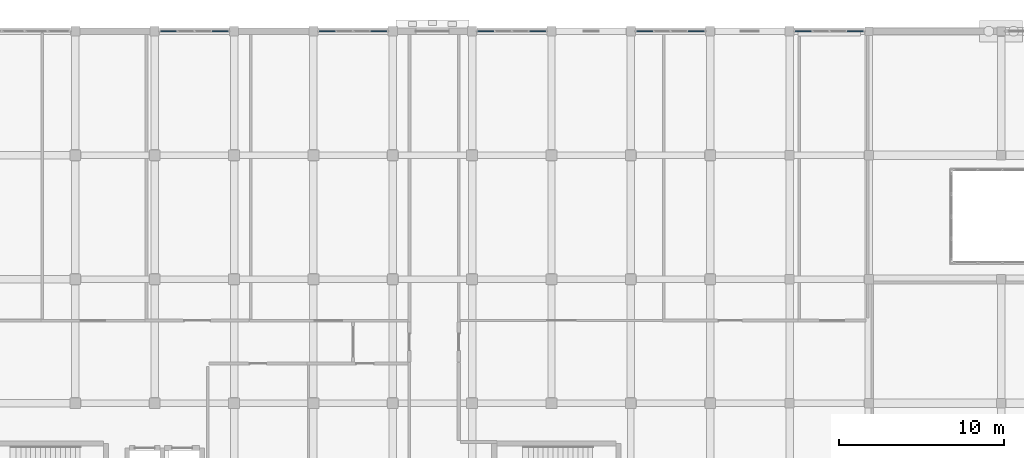
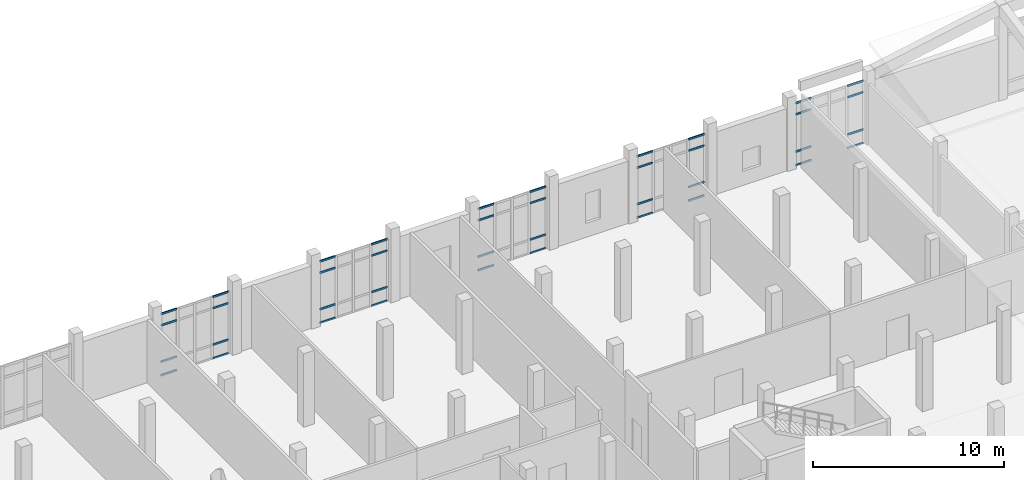
# One storey, part 123 of 173: 40 members, 5 elements without a shape of their own.
"""IFC4 building model written with IfcOpenShell, lengths in metres."""

from ifc_helpers import new_model, si_unit, direction, frame, origin, origin_2d, place, context, subcontext, project, spatial, hollow_rectangle, extrude, material, layer, layer_set, material_profile, profile_set, type_object, element, aggregate, save


model = new_model("IFC4")

# Units and contexts
model_context = context("Model", 3, precision=1e-05, world=origin(), true_north=direction((0.0, 1.0)))
body_context = subcontext(model_context, "Body", "Model", "MODEL_VIEW")
ifc_project = project(units=[si_unit("LENGTHUNIT", "METRE"), si_unit("AREAUNIT", "SQUARE_METRE"), si_unit("VOLUMEUNIT", "CUBIC_METRE"), si_unit("PLANEANGLEUNIT", "RADIAN"), si_unit("MASSUNIT", "GRAM", prefix="KILO")], contexts=[model_context])

# Site, building, storey
site_placement = place(None, origin())
site = spatial("IfcSite", under=ifc_project, at=site_placement, CompositionType="ELEMENT")
building_placement = place(site_placement, origin())
building = spatial("IfcBuilding", under=site, at=building_placement, Name="Mawjan Specialist Oncology Clinic", CompositionType="ELEMENT")
storey_placement = place(building_placement, origin())
storey = spatial("IfcBuildingStorey", under=building, at=storey_placement, Name="L00", CompositionType="ELEMENT", Elevation=0.0)

# Curtain wall, members
ifc_material_1 = material(Name="Unitised spectrally selective aluminium curtain wall", Category="aluminium")
ifc_layer_1 = layer(ifc_material_1, 0.179931640625, Name="Unitised spectrally selective aluminium curtain wall", Category="aluminium")
ifc_layer_set_1 = layer_set([ifc_layer_1], Name="Unitised spectrally selective aluminium curtain wall")
curtain_wall_type_1 = type_object("IfcCurtainWallType", Name="CW-13", PredefinedType="NOTDEFINED", material=ifc_layer_set_1)
curtain_wall_1_placement = place(storey_placement, origin())
curtain_wall_1 = element("IfcCurtainWall", 1, at=curtain_wall_1_placement, inside=storey, type_object=curtain_wall_type_1, Name="L00 Unitised Curtain Wall CW-L00-022", PredefinedType="NOTDEFINED")
ifc_material_2 = material(Name="Thermally broken aluminium 6063-T6", Category="aluminium")
ifc_material_profile = material_profile(ifc_material_2, hollow_rectangle(XDim=0.06005859375, YDim=0.1201171875, WallThickness=0.00390625, at=origin_2d()), Name="ALU TRANSOM 120x60x4", Category="aluminium")
ifc_profile_set = profile_set([ifc_material_profile], Name="Thermally broken aluminium 6063-T6")
member_type = type_object("IfcMemberType", Name="CW-T120", PredefinedType="USERDEFINED", material=ifc_profile_set)
member_1_placement = place(storey_placement, frame((65.155029296875, 113.300048828125, 0.030029296875), z_axis=(1.0, 0.0, 0.0), x_axis=(0.0, 1.0, 0.0)))
member_1 = element("IfcMember", 2, at=member_1_placement, type_object=member_type, Name="CW-13 transom 1.1", ObjectType="TRANSOM", PredefinedType="USERDEFINED", context=body_context, shape_type="SweptSolid", body=[
    extrude(hollow_rectangle(XDim=0.06005859375, YDim=0.1201171875, WallThickness=0.00390625, at=origin_2d()), origin(), (0.0, 0.0, 1.0), 0.96240234375),
])
member_2_placement = place(storey_placement, frame((65.155029296875, 113.300048828125, 0.89990234375), z_axis=(1.0, 0.0, 0.0), x_axis=(0.0, 1.0, 0.0)))
member_2 = element("IfcMember", 3, at=member_2_placement, type_object=member_type, Name="CW-13 transom 1.2", ObjectType="TRANSOM", PredefinedType="USERDEFINED", context=body_context, shape_type="SweptSolid", body=[
    extrude(hollow_rectangle(XDim=0.06005859375, YDim=0.1201171875, WallThickness=0.00390625, at=origin_2d()), origin(), (0.0, 0.0, 1.0), 0.96240234375),
])
member_3_placement = place(storey_placement, frame((65.155029296875, 113.300048828125, 3.235107421875), z_axis=(1.0, 0.0, 0.0), x_axis=(0.0, 1.0, 0.0)))
member_3 = element("IfcMember", 4, at=member_3_placement, type_object=member_type, Name="CW-13 transom 1.3", ObjectType="TRANSOM", PredefinedType="USERDEFINED", context=body_context, shape_type="SweptSolid", body=[
    extrude(hollow_rectangle(XDim=0.06005859375, YDim=0.1201171875, WallThickness=0.00390625, at=origin_2d()), origin(), (0.0, 0.0, 1.0), 0.96240234375),
])
member_4_placement = place(storey_placement, frame((65.155029296875, 113.300048828125, 3.955078125), z_axis=(1.0, 0.0, 0.0), x_axis=(0.0, 1.0, 0.0)))
member_4 = element("IfcMember", 5, at=member_4_placement, type_object=member_type, Name="CW-13 transom 1.4", ObjectType="TRANSOM", PredefinedType="USERDEFINED", context=body_context, shape_type="SweptSolid", body=[
    extrude(hollow_rectangle(XDim=0.06005859375, YDim=0.1201171875, WallThickness=0.00390625, at=origin_2d()), origin(), (0.0, 0.0, 1.0), 0.96240234375),
])
member_5_placement = place(storey_placement, frame((68.282470703125, 113.300048828125, 0.030029296875), z_axis=(1.0, 0.0, 0.0), x_axis=(0.0, 1.0, 0.0)))
member_5 = element("IfcMember", 6, at=member_5_placement, type_object=member_type, Name="CW-13 transom 4.1", ObjectType="TRANSOM", PredefinedType="USERDEFINED", context=body_context, shape_type="SweptSolid", body=[
    extrude(hollow_rectangle(XDim=0.06005859375, YDim=0.1201171875, WallThickness=0.00390625, at=origin_2d()), origin(), (0.0, 0.0, 1.0), 0.962646484375),
])
member_6_placement = place(storey_placement, frame((68.282470703125, 113.300048828125, 0.89990234375), z_axis=(1.0, 0.0, 0.0), x_axis=(0.0, 1.0, 0.0)))
member_6 = element("IfcMember", 7, at=member_6_placement, type_object=member_type, Name="CW-13 transom 4.2", ObjectType="TRANSOM", PredefinedType="USERDEFINED", context=body_context, shape_type="SweptSolid", body=[
    extrude(hollow_rectangle(XDim=0.06005859375, YDim=0.1201171875, WallThickness=0.00390625, at=origin_2d()), origin(), (0.0, 0.0, 1.0), 0.962646484375),
])
member_7_placement = place(storey_placement, frame((68.282470703125, 113.300048828125, 3.235107421875), z_axis=(1.0, 0.0, 0.0), x_axis=(0.0, 1.0, 0.0)))
member_7 = element("IfcMember", 8, at=member_7_placement, type_object=member_type, Name="CW-13 transom 4.3", ObjectType="TRANSOM", PredefinedType="USERDEFINED", context=body_context, shape_type="SweptSolid", body=[
    extrude(hollow_rectangle(XDim=0.06005859375, YDim=0.1201171875, WallThickness=0.00390625, at=origin_2d()), origin(), (0.0, 0.0, 1.0), 0.962646484375),
])
member_8_placement = place(storey_placement, frame((68.282470703125, 113.300048828125, 3.955078125), z_axis=(1.0, 0.0, 0.0), x_axis=(0.0, 1.0, 0.0)))
member_8 = element("IfcMember", 9, at=member_8_placement, type_object=member_type, Name="CW-13 transom 4.4", ObjectType="TRANSOM", PredefinedType="USERDEFINED", context=body_context, shape_type="SweptSolid", body=[
    extrude(hollow_rectangle(XDim=0.06005859375, YDim=0.1201171875, WallThickness=0.00390625, at=origin_2d()), origin(), (0.0, 0.0, 1.0), 0.962646484375),
])
aggregate(curtain_wall_1, [member_1, member_2, member_3, member_4, member_5, member_6, member_7, member_8])

curtain_wall_2_placement = place(storey_placement, origin())
curtain_wall_2 = element("IfcCurtainWall", 10, at=curtain_wall_2_placement, inside=storey, type_object=curtain_wall_type_1, Name="L00 Unitised Curtain Wall CW-L00-023", PredefinedType="NOTDEFINED")
member_9_placement = place(storey_placement, frame((74.7548828125, 113.300048828125, 0.030029296875), z_axis=(1.0, 0.0, 0.0), x_axis=(0.0, 1.0, 0.0)))
member_9 = element("IfcMember", 11, at=member_9_placement, type_object=member_type, Name="CW-13 transom 1.1", ObjectType="TRANSOM", PredefinedType="USERDEFINED", context=body_context, shape_type="SweptSolid", body=[
    extrude(hollow_rectangle(XDim=0.06005859375, YDim=0.1201171875, WallThickness=0.00390625, at=origin_2d()), origin(), (0.0, 0.0, 1.0), 0.962646484375),
])
member_10_placement = place(storey_placement, frame((74.7548828125, 113.300048828125, 0.89990234375), z_axis=(1.0, 0.0, 0.0), x_axis=(0.0, 1.0, 0.0)))
member_10 = element("IfcMember", 12, at=member_10_placement, type_object=member_type, Name="CW-13 transom 1.2", ObjectType="TRANSOM", PredefinedType="USERDEFINED", context=body_context, shape_type="SweptSolid", body=[
    extrude(hollow_rectangle(XDim=0.06005859375, YDim=0.1201171875, WallThickness=0.00390625, at=origin_2d()), origin(), (0.0, 0.0, 1.0), 0.962646484375),
])
member_11_placement = place(storey_placement, frame((74.7548828125, 113.300048828125, 3.235107421875), z_axis=(1.0, 0.0, 0.0), x_axis=(0.0, 1.0, 0.0)))
member_11 = element("IfcMember", 13, at=member_11_placement, type_object=member_type, Name="CW-13 transom 1.3", ObjectType="TRANSOM", PredefinedType="USERDEFINED", context=body_context, shape_type="SweptSolid", body=[
    extrude(hollow_rectangle(XDim=0.06005859375, YDim=0.1201171875, WallThickness=0.00390625, at=origin_2d()), origin(), (0.0, 0.0, 1.0), 0.962646484375),
])
member_12_placement = place(storey_placement, frame((74.7548828125, 113.300048828125, 3.955078125), z_axis=(1.0, 0.0, 0.0), x_axis=(0.0, 1.0, 0.0)))
member_12 = element("IfcMember", 14, at=member_12_placement, type_object=member_type, Name="CW-13 transom 1.4", ObjectType="TRANSOM", PredefinedType="USERDEFINED", context=body_context, shape_type="SweptSolid", body=[
    extrude(hollow_rectangle(XDim=0.06005859375, YDim=0.1201171875, WallThickness=0.00390625, at=origin_2d()), origin(), (0.0, 0.0, 1.0), 0.962646484375),
])
member_13_placement = place(storey_placement, frame((77.882568359375, 113.300048828125, 0.030029296875), z_axis=(1.0, 0.0, 0.0), x_axis=(0.0, 1.0, 0.0)))
member_13 = element("IfcMember", 15, at=member_13_placement, type_object=member_type, Name="CW-13 transom 4.1", ObjectType="TRANSOM", PredefinedType="USERDEFINED", context=body_context, shape_type="SweptSolid", body=[
    extrude(hollow_rectangle(XDim=0.06005859375, YDim=0.1201171875, WallThickness=0.00390625, at=origin_2d()), origin(), (0.0, 0.0, 1.0), 0.96240234375),
])
member_14_placement = place(storey_placement, frame((77.882568359375, 113.300048828125, 0.89990234375), z_axis=(1.0, 0.0, 0.0), x_axis=(0.0, 1.0, 0.0)))
member_14 = element("IfcMember", 16, at=member_14_placement, type_object=member_type, Name="CW-13 transom 4.2", ObjectType="TRANSOM", PredefinedType="USERDEFINED", context=body_context, shape_type="SweptSolid", body=[
    extrude(hollow_rectangle(XDim=0.06005859375, YDim=0.1201171875, WallThickness=0.00390625, at=origin_2d()), origin(), (0.0, 0.0, 1.0), 0.96240234375),
])
member_15_placement = place(storey_placement, frame((77.882568359375, 113.300048828125, 3.235107421875), z_axis=(1.0, 0.0, 0.0), x_axis=(0.0, 1.0, 0.0)))
member_15 = element("IfcMember", 17, at=member_15_placement, type_object=member_type, Name="CW-13 transom 4.3", ObjectType="TRANSOM", PredefinedType="USERDEFINED", context=body_context, shape_type="SweptSolid", body=[
    extrude(hollow_rectangle(XDim=0.06005859375, YDim=0.1201171875, WallThickness=0.00390625, at=origin_2d()), origin(), (0.0, 0.0, 1.0), 0.96240234375),
])
member_16_placement = place(storey_placement, frame((77.882568359375, 113.300048828125, 3.955078125), z_axis=(1.0, 0.0, 0.0), x_axis=(0.0, 1.0, 0.0)))
member_16 = element("IfcMember", 18, at=member_16_placement, type_object=member_type, Name="CW-13 transom 4.4", ObjectType="TRANSOM", PredefinedType="USERDEFINED", context=body_context, shape_type="SweptSolid", body=[
    extrude(hollow_rectangle(XDim=0.06005859375, YDim=0.1201171875, WallThickness=0.00390625, at=origin_2d()), origin(), (0.0, 0.0, 1.0), 0.96240234375),
])
aggregate(curtain_wall_2, [member_9, member_10, member_11, member_12, member_13, member_14, member_15, member_16])

curtain_wall_3_placement = place(storey_placement, origin())
curtain_wall_3 = element("IfcCurtainWall", 19, at=curtain_wall_3_placement, inside=storey, type_object=curtain_wall_type_1, Name="L00 Unitised Curtain Wall CW-L00-024", PredefinedType="NOTDEFINED")
member_17_placement = place(storey_placement, frame((84.35498046875, 113.300048828125, 0.030029296875), z_axis=(1.0, 0.0, 0.0), x_axis=(0.0, 1.0, 0.0)))
member_17 = element("IfcMember", 20, at=member_17_placement, type_object=member_type, Name="CW-13 transom 1.1", ObjectType="TRANSOM", PredefinedType="USERDEFINED", context=body_context, shape_type="SweptSolid", body=[
    extrude(hollow_rectangle(XDim=0.06005859375, YDim=0.1201171875, WallThickness=0.00390625, at=origin_2d()), origin(), (0.0, 0.0, 1.0), 0.96240234375),
])
member_18_placement = place(storey_placement, frame((84.35498046875, 113.300048828125, 0.89990234375), z_axis=(1.0, 0.0, 0.0), x_axis=(0.0, 1.0, 0.0)))
member_18 = element("IfcMember", 21, at=member_18_placement, type_object=member_type, Name="CW-13 transom 1.2", ObjectType="TRANSOM", PredefinedType="USERDEFINED", context=body_context, shape_type="SweptSolid", body=[
    extrude(hollow_rectangle(XDim=0.06005859375, YDim=0.1201171875, WallThickness=0.00390625, at=origin_2d()), origin(), (0.0, 0.0, 1.0), 0.96240234375),
])
member_19_placement = place(storey_placement, frame((84.35498046875, 113.300048828125, 3.235107421875), z_axis=(1.0, 0.0, 0.0), x_axis=(0.0, 1.0, 0.0)))
member_19 = element("IfcMember", 22, at=member_19_placement, type_object=member_type, Name="CW-13 transom 1.3", ObjectType="TRANSOM", PredefinedType="USERDEFINED", context=body_context, shape_type="SweptSolid", body=[
    extrude(hollow_rectangle(XDim=0.06005859375, YDim=0.1201171875, WallThickness=0.00390625, at=origin_2d()), origin(), (0.0, 0.0, 1.0), 0.96240234375),
])
member_20_placement = place(storey_placement, frame((84.35498046875, 113.300048828125, 3.955078125), z_axis=(1.0, 0.0, 0.0), x_axis=(0.0, 1.0, 0.0)))
member_20 = element("IfcMember", 23, at=member_20_placement, type_object=member_type, Name="CW-13 transom 1.4", ObjectType="TRANSOM", PredefinedType="USERDEFINED", context=body_context, shape_type="SweptSolid", body=[
    extrude(hollow_rectangle(XDim=0.06005859375, YDim=0.1201171875, WallThickness=0.00390625, at=origin_2d()), origin(), (0.0, 0.0, 1.0), 0.96240234375),
])
member_21_placement = place(storey_placement, frame((87.482421875, 113.300048828125, 0.030029296875), z_axis=(1.0, 0.0, 0.0), x_axis=(0.0, 1.0, 0.0)))
member_21 = element("IfcMember", 24, at=member_21_placement, type_object=member_type, Name="CW-13 transom 4.1", ObjectType="TRANSOM", PredefinedType="USERDEFINED", context=body_context, shape_type="SweptSolid", body=[
    extrude(hollow_rectangle(XDim=0.06005859375, YDim=0.1201171875, WallThickness=0.00390625, at=origin_2d()), origin(), (0.0, 0.0, 1.0), 0.962646484375),
])
member_22_placement = place(storey_placement, frame((87.482421875, 113.300048828125, 0.89990234375), z_axis=(1.0, 0.0, 0.0), x_axis=(0.0, 1.0, 0.0)))
member_22 = element("IfcMember", 25, at=member_22_placement, type_object=member_type, Name="CW-13 transom 4.2", ObjectType="TRANSOM", PredefinedType="USERDEFINED", context=body_context, shape_type="SweptSolid", body=[
    extrude(hollow_rectangle(XDim=0.06005859375, YDim=0.1201171875, WallThickness=0.00390625, at=origin_2d()), origin(), (0.0, 0.0, 1.0), 0.962646484375),
])
member_23_placement = place(storey_placement, frame((87.482421875, 113.300048828125, 3.235107421875), z_axis=(1.0, 0.0, 0.0), x_axis=(0.0, 1.0, 0.0)))
member_23 = element("IfcMember", 26, at=member_23_placement, type_object=member_type, Name="CW-13 transom 4.3", ObjectType="TRANSOM", PredefinedType="USERDEFINED", context=body_context, shape_type="SweptSolid", body=[
    extrude(hollow_rectangle(XDim=0.06005859375, YDim=0.1201171875, WallThickness=0.00390625, at=origin_2d()), origin(), (0.0, 0.0, 1.0), 0.962646484375),
])
member_24_placement = place(storey_placement, frame((87.482421875, 113.300048828125, 3.955078125), z_axis=(1.0, 0.0, 0.0), x_axis=(0.0, 1.0, 0.0)))
member_24 = element("IfcMember", 27, at=member_24_placement, type_object=member_type, Name="CW-13 transom 4.4", ObjectType="TRANSOM", PredefinedType="USERDEFINED", context=body_context, shape_type="SweptSolid", body=[
    extrude(hollow_rectangle(XDim=0.06005859375, YDim=0.1201171875, WallThickness=0.00390625, at=origin_2d()), origin(), (0.0, 0.0, 1.0), 0.962646484375),
])
aggregate(curtain_wall_3, [member_17, member_18, member_19, member_20, member_21, member_22, member_23, member_24])

curtain_wall_4_placement = place(storey_placement, origin())
curtain_wall_4 = element("IfcCurtainWall", 28, at=curtain_wall_4_placement, inside=storey, type_object=curtain_wall_type_1, Name="L00 Unitised Curtain Wall CW-L00-025", PredefinedType="NOTDEFINED")
member_25_placement = place(storey_placement, frame((93.955078125, 113.300048828125, 0.030029296875), z_axis=(1.0, 0.0, 0.0), x_axis=(0.0, 1.0, 0.0)))
member_25 = element("IfcMember", 29, at=member_25_placement, type_object=member_type, Name="CW-13 transom 1.1", ObjectType="TRANSOM", PredefinedType="USERDEFINED", context=body_context, shape_type="SweptSolid", body=[
    extrude(hollow_rectangle(XDim=0.06005859375, YDim=0.1201171875, WallThickness=0.00390625, at=origin_2d()), origin(), (0.0, 0.0, 1.0), 0.96240234375),
])
member_26_placement = place(storey_placement, frame((93.955078125, 113.300048828125, 0.89990234375), z_axis=(1.0, 0.0, 0.0), x_axis=(0.0, 1.0, 0.0)))
member_26 = element("IfcMember", 30, at=member_26_placement, type_object=member_type, Name="CW-13 transom 1.2", ObjectType="TRANSOM", PredefinedType="USERDEFINED", context=body_context, shape_type="SweptSolid", body=[
    extrude(hollow_rectangle(XDim=0.06005859375, YDim=0.1201171875, WallThickness=0.00390625, at=origin_2d()), origin(), (0.0, 0.0, 1.0), 0.96240234375),
])
member_27_placement = place(storey_placement, frame((93.955078125, 113.300048828125, 3.235107421875), z_axis=(1.0, 0.0, 0.0), x_axis=(0.0, 1.0, 0.0)))
member_27 = element("IfcMember", 31, at=member_27_placement, type_object=member_type, Name="CW-13 transom 1.3", ObjectType="TRANSOM", PredefinedType="USERDEFINED", context=body_context, shape_type="SweptSolid", body=[
    extrude(hollow_rectangle(XDim=0.06005859375, YDim=0.1201171875, WallThickness=0.00390625, at=origin_2d()), origin(), (0.0, 0.0, 1.0), 0.96240234375),
])
member_28_placement = place(storey_placement, frame((93.955078125, 113.300048828125, 3.955078125), z_axis=(1.0, 0.0, 0.0), x_axis=(0.0, 1.0, 0.0)))
member_28 = element("IfcMember", 32, at=member_28_placement, type_object=member_type, Name="CW-13 transom 1.4", ObjectType="TRANSOM", PredefinedType="USERDEFINED", context=body_context, shape_type="SweptSolid", body=[
    extrude(hollow_rectangle(XDim=0.06005859375, YDim=0.1201171875, WallThickness=0.00390625, at=origin_2d()), origin(), (0.0, 0.0, 1.0), 0.96240234375),
])
member_29_placement = place(storey_placement, frame((97.08251953125, 113.300048828125, 0.030029296875), z_axis=(1.0, 0.0, 0.0), x_axis=(0.0, 1.0, 0.0)))
member_29 = element("IfcMember", 33, at=member_29_placement, type_object=member_type, Name="CW-13 transom 4.1", ObjectType="TRANSOM", PredefinedType="USERDEFINED", context=body_context, shape_type="SweptSolid", body=[
    extrude(hollow_rectangle(XDim=0.06005859375, YDim=0.1201171875, WallThickness=0.00390625, at=origin_2d()), origin(), (0.0, 0.0, 1.0), 0.96240234375),
])
member_30_placement = place(storey_placement, frame((97.08251953125, 113.300048828125, 0.89990234375), z_axis=(1.0, 0.0, 0.0), x_axis=(0.0, 1.0, 0.0)))
member_30 = element("IfcMember", 34, at=member_30_placement, type_object=member_type, Name="CW-13 transom 4.2", ObjectType="TRANSOM", PredefinedType="USERDEFINED", context=body_context, shape_type="SweptSolid", body=[
    extrude(hollow_rectangle(XDim=0.06005859375, YDim=0.1201171875, WallThickness=0.00390625, at=origin_2d()), origin(), (0.0, 0.0, 1.0), 0.96240234375),
])
member_31_placement = place(storey_placement, frame((97.08251953125, 113.300048828125, 3.235107421875), z_axis=(1.0, 0.0, 0.0), x_axis=(0.0, 1.0, 0.0)))
member_31 = element("IfcMember", 35, at=member_31_placement, type_object=member_type, Name="CW-13 transom 4.3", ObjectType="TRANSOM", PredefinedType="USERDEFINED", context=body_context, shape_type="SweptSolid", body=[
    extrude(hollow_rectangle(XDim=0.06005859375, YDim=0.1201171875, WallThickness=0.00390625, at=origin_2d()), origin(), (0.0, 0.0, 1.0), 0.96240234375),
])
member_32_placement = place(storey_placement, frame((97.08251953125, 113.300048828125, 3.955078125), z_axis=(1.0, 0.0, 0.0), x_axis=(0.0, 1.0, 0.0)))
member_32 = element("IfcMember", 36, at=member_32_placement, type_object=member_type, Name="CW-13 transom 4.4", ObjectType="TRANSOM", PredefinedType="USERDEFINED", context=body_context, shape_type="SweptSolid", body=[
    extrude(hollow_rectangle(XDim=0.06005859375, YDim=0.1201171875, WallThickness=0.00390625, at=origin_2d()), origin(), (0.0, 0.0, 1.0), 0.96240234375),
])
aggregate(curtain_wall_4, [member_25, member_26, member_27, member_28, member_29, member_30, member_31, member_32])

ifc_material_3 = material(Name="Unitised spectrally selective aluminium curtain wall", Category="aluminium")
ifc_layer_2 = layer(ifc_material_3, 0.179931640625, Name="Unitised spectrally selective aluminium curtain wall", Category="aluminium")
ifc_layer_set_2 = layer_set([ifc_layer_2], Name="Unitised spectrally selective aluminium curtain wall")
curtain_wall_type_2 = type_object("IfcCurtainWallType", Name="CW-14", PredefinedType="NOTDEFINED", material=ifc_layer_set_2)
curtain_wall_5_placement = place(storey_placement, origin())
curtain_wall_5 = element("IfcCurtainWall", 37, at=curtain_wall_5_placement, inside=storey, type_object=curtain_wall_type_2, Name="L00 Unitised Curtain Wall CW-L00-026", PredefinedType="NOTDEFINED")
member_33_placement = place(storey_placement, frame((103.554931640625, 113.300048828125, 0.030029296875), z_axis=(1.0, 0.0, 0.0), x_axis=(0.0, 1.0, 0.0)))
member_33 = element("IfcMember", 38, at=member_33_placement, type_object=member_type, Name="CW-14 transom 1.1", ObjectType="TRANSOM", PredefinedType="USERDEFINED", context=body_context, shape_type="SweptSolid", body=[
    extrude(hollow_rectangle(XDim=0.06005859375, YDim=0.1201171875, WallThickness=0.00390625, at=origin_2d()), origin(), (0.0, 0.0, 1.0), 0.96875),
])
member_34_placement = place(storey_placement, frame((103.554931640625, 113.300048828125, 0.89990234375), z_axis=(1.0, 0.0, 0.0), x_axis=(0.0, 1.0, 0.0)))
member_34 = element("IfcMember", 39, at=member_34_placement, type_object=member_type, Name="CW-14 transom 1.2", ObjectType="TRANSOM", PredefinedType="USERDEFINED", context=body_context, shape_type="SweptSolid", body=[
    extrude(hollow_rectangle(XDim=0.06005859375, YDim=0.1201171875, WallThickness=0.00390625, at=origin_2d()), origin(), (0.0, 0.0, 1.0), 0.96875),
])
member_35_placement = place(storey_placement, frame((103.554931640625, 113.300048828125, 3.284912109375), z_axis=(1.0, 0.0, 0.0), x_axis=(0.0, 1.0, 0.0)))
member_35 = element("IfcMember", 40, at=member_35_placement, type_object=member_type, Name="CW-14 transom 1.3", ObjectType="TRANSOM", PredefinedType="USERDEFINED", context=body_context, shape_type="SweptSolid", body=[
    extrude(hollow_rectangle(XDim=0.06005859375, YDim=0.1201171875, WallThickness=0.00390625, at=origin_2d()), origin(), (0.0, 0.0, 1.0), 0.96875),
])
member_36_placement = place(storey_placement, frame((103.554931640625, 113.300048828125, 4.0048828125), z_axis=(1.0, 0.0, 0.0), x_axis=(0.0, 1.0, 0.0)))
member_36 = element("IfcMember", 41, at=member_36_placement, type_object=member_type, Name="CW-14 transom 1.4", ObjectType="TRANSOM", PredefinedType="USERDEFINED", context=body_context, shape_type="SweptSolid", body=[
    extrude(hollow_rectangle(XDim=0.06005859375, YDim=0.1201171875, WallThickness=0.00390625, at=origin_2d()), origin(), (0.0, 0.0, 1.0), 0.96875),
])
member_37_placement = place(storey_placement, frame((106.701171875, 113.300048828125, 0.030029296875), z_axis=(1.0, 0.0, 0.0), x_axis=(0.0, 1.0, 0.0)))
member_37 = element("IfcMember", 42, at=member_37_placement, type_object=member_type, Name="CW-14 transom 4.1", ObjectType="TRANSOM", PredefinedType="USERDEFINED", context=body_context, shape_type="SweptSolid", body=[
    extrude(hollow_rectangle(XDim=0.06005859375, YDim=0.1201171875, WallThickness=0.00390625, at=origin_2d()), origin(), (0.0, 0.0, 1.0), 0.96875),
])
member_38_placement = place(storey_placement, frame((106.701171875, 113.300048828125, 0.89990234375), z_axis=(1.0, 0.0, 0.0), x_axis=(0.0, 1.0, 0.0)))
member_38 = element("IfcMember", 43, at=member_38_placement, type_object=member_type, Name="CW-14 transom 4.2", ObjectType="TRANSOM", PredefinedType="USERDEFINED", context=body_context, shape_type="SweptSolid", body=[
    extrude(hollow_rectangle(XDim=0.06005859375, YDim=0.1201171875, WallThickness=0.00390625, at=origin_2d()), origin(), (0.0, 0.0, 1.0), 0.96875),
])
member_39_placement = place(storey_placement, frame((106.701171875, 113.300048828125, 3.284912109375), z_axis=(1.0, 0.0, 0.0), x_axis=(0.0, 1.0, 0.0)))
member_39 = element("IfcMember", 44, at=member_39_placement, type_object=member_type, Name="CW-14 transom 4.3", ObjectType="TRANSOM", PredefinedType="USERDEFINED", context=body_context, shape_type="SweptSolid", body=[
    extrude(hollow_rectangle(XDim=0.06005859375, YDim=0.1201171875, WallThickness=0.00390625, at=origin_2d()), origin(), (0.0, 0.0, 1.0), 0.96875),
])
member_40_placement = place(storey_placement, frame((106.701171875, 113.300048828125, 4.0048828125), z_axis=(1.0, 0.0, 0.0), x_axis=(0.0, 1.0, 0.0)))
member_40 = element("IfcMember", 45, at=member_40_placement, type_object=member_type, Name="CW-14 transom 4.4", ObjectType="TRANSOM", PredefinedType="USERDEFINED", context=body_context, shape_type="SweptSolid", body=[
    extrude(hollow_rectangle(XDim=0.06005859375, YDim=0.1201171875, WallThickness=0.00390625, at=origin_2d()), origin(), (0.0, 0.0, 1.0), 0.96875),
])
aggregate(curtain_wall_5, [member_33, member_34, member_35, member_36, member_37, member_38, member_39, member_40])

save(model, "model.ifc")
